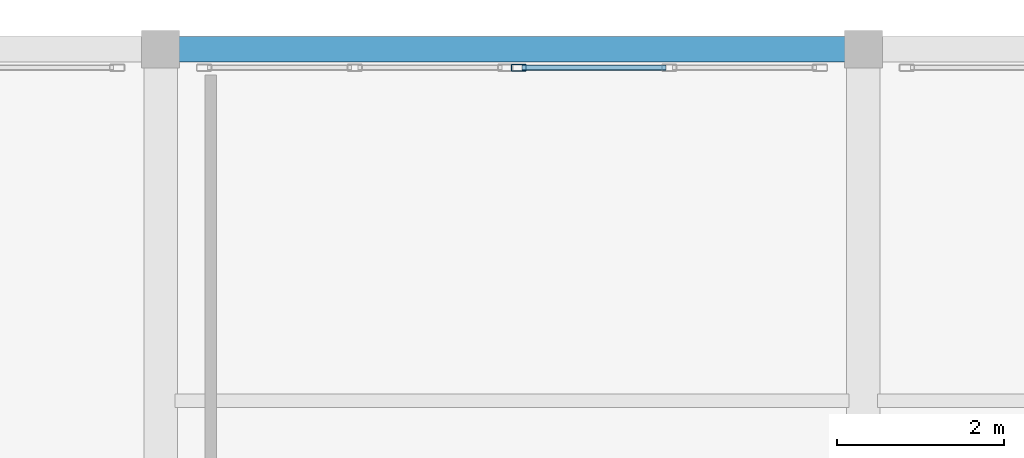
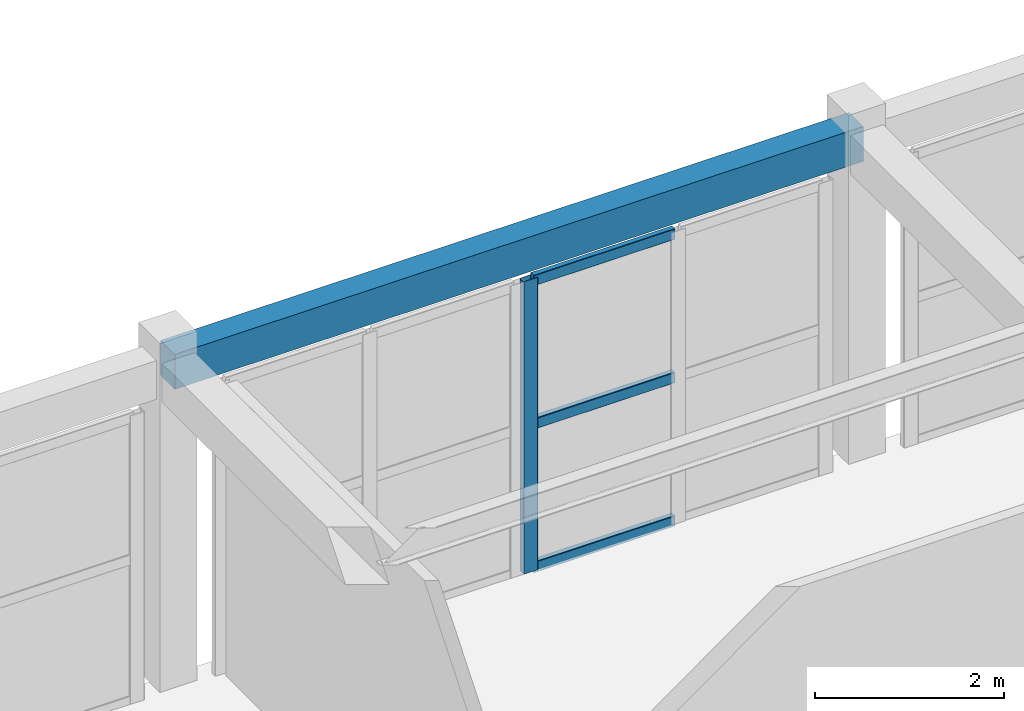
# One storey, part 33 of 92: 4 members, 1 beam, 1 element without a shape of its own.
"""IFC4 building model written with IfcOpenShell, lengths in metres."""

from ifc_helpers import new_model, si_unit, direction, frame, origin, origin_2d, place, context, subcontext, project, spatial, rectangle, hollow_rectangle, extrude, material, layer, layer_set, material_profile, profile_set, type_object, element, aggregate, save


model = new_model("IFC4")

# Units and contexts
model_context = context("Model", 3, precision=1e-05, world=origin(), true_north=direction((0.0, 1.0)))
body_context = subcontext(model_context, "Body", "Model", "MODEL_VIEW")
ifc_project = project(units=[si_unit("LENGTHUNIT", "METRE"), si_unit("AREAUNIT", "SQUARE_METRE"), si_unit("VOLUMEUNIT", "CUBIC_METRE"), si_unit("PLANEANGLEUNIT", "RADIAN"), si_unit("MASSUNIT", "GRAM", prefix="KILO")], contexts=[model_context])

# Site, building, storey
site_placement = place(None, origin())
site = spatial("IfcSite", under=ifc_project, at=site_placement, CompositionType="ELEMENT")
building_placement = place(site_placement, origin())
building = spatial("IfcBuilding", under=site, at=building_placement, Name="Tarnavel Promenade Courthouse", CompositionType="ELEMENT")
storey_placement = place(building_placement, frame((0.0, 0.0, 5.39990234375)))
storey = spatial("IfcBuildingStorey", under=building, at=storey_placement, Name="L02", CompositionType="ELEMENT", Elevation=5.39990234375)

# Beam
ifc_material_1 = material(Name="Concrete C40/50", Category="concrete")
ifc_material_profile_1 = material_profile(ifc_material_1, rectangle(XDim=0.300048828125, YDim=0.449951171875, at=origin_2d()), Name="RC 300x450")
ifc_profile_set_1 = profile_set([ifc_material_profile_1], Name="Concrete C40/50")
beam_type = type_object("IfcBeamType", Name="Concrete C40/50 BM-SP-300x450 (RC 300x450)", PredefinedType="SPANDREL", material=ifc_profile_set_1)
beam_placement = place(storey_placement, frame((58.800048828125, 112.800048828125, 4.010009765625), z_axis=(1.0, 0.0, 0.0), x_axis=(0.0, 1.0, 0.0)))
element("IfcBeam", 1, at=beam_placement, inside=storey, type_object=beam_type, Name="L02 Primary Longitudinal Beam 1216", PredefinedType="SPANDREL", context=body_context, shape_type="SweptSolid", body=[
    extrude(rectangle(XDim=0.300048828125, YDim=0.449951171875, at=origin_2d()), origin(), (0.0, 0.0, 1.0), 8.39990234375),
])

# Curtain wall, members
ifc_material_2 = material(Name="Thermally Broken Anodised Aluminium Curtain Wall System", Category="aluminium")
ifc_layer = layer(ifc_material_2, 0.199951171875)
ifc_layer_set = layer_set([ifc_layer], Name="Thermally Broken Anodised Aluminium Curtain Wall System")
curtain_wall_type = type_object("IfcCurtainWallType", Name="Thermally Broken Aluminium Triple-Glazed Curtain Wall CW-FOYER", PredefinedType="NOTDEFINED", material=ifc_layer_set)
curtain_wall_placement = place(storey_placement, origin())
curtain_wall = element("IfcCurtainWall", 2, at=curtain_wall_placement, inside=storey, type_object=curtain_wall_type, Name="L02 North Foyer Curtain Wall B 129", PredefinedType="NOTDEFINED")
ifc_material_3 = material(Name="Thermally Broken Anodised Aluminium Frame", Category="aluminium")
ifc_material_profile_2 = material_profile(ifc_material_3, hollow_rectangle(XDim=0.080078125, YDim=0.179931640625, WallThickness=0.0048828125, InnerFilletRadius=0.0048828125, OuterFilletRadius=0.010009765625, at=origin_2d()), Name="CWM 180x80x5")
ifc_profile_set_2 = profile_set([ifc_material_profile_2], Name="Thermally Broken Anodised Aluminium Frame")
member_type_1 = type_object("IfcMemberType", Name="Thermally Broken Anodised Aluminium CWM-155 (CWM 180x80x5)", PredefinedType="MULLION", material=ifc_profile_set_2)
member_1_placement = place(storey_placement, frame((63.080078125, 112.580078125, 0.0), z_axis=(0.0, 0.0, 1.0), x_axis=(0.0, 1.0, 0.0)))
member_1 = element("IfcMember", 3, at=member_1_placement, type_object=member_type_1, Name="CW-04 mullion 1", PredefinedType="MULLION", context=body_context, shape_type="SweptSolid", body=[
    extrude(hollow_rectangle(XDim=0.080078125, YDim=0.179931640625, WallThickness=0.0048828125, InnerFilletRadius=0.0048828125, OuterFilletRadius=0.010009765625, at=origin_2d()), origin(), (0.0, 0.0, 1.0), 3.77001953125),
])
ifc_material_profile_3 = material_profile(ifc_material_3, hollow_rectangle(XDim=0.070068359375, YDim=0.139892578125, WallThickness=0.0048828125, InnerFilletRadius=0.0048828125, OuterFilletRadius=0.010009765625, at=origin_2d()), Name="CWT 140x70x5")
ifc_profile_set_3 = profile_set([ifc_material_profile_3], Name="Thermally Broken Anodised Aluminium Frame")
member_type_2 = type_object("IfcMemberType", Name="Thermally Broken Anodised Aluminium CWT-125 (CWT 140x70x5)", PredefinedType="USERDEFINED", material=ifc_profile_set_3)
member_2_placement = place(storey_placement, frame((63.1201171875, 112.580078125, 0.03515625), z_axis=(1.0, 0.0, 0.0), x_axis=(0.0, 1.0, 0.0)))
member_2 = element("IfcMember", 4, at=member_2_placement, type_object=member_type_2, Name="CW-04 transom 1.1", ObjectType="TRANSOM", PredefinedType="USERDEFINED", context=body_context, shape_type="SweptSolid", body=[
    extrude(hollow_rectangle(XDim=0.070068359375, YDim=0.139892578125, WallThickness=0.0048828125, InnerFilletRadius=0.0048828125, OuterFilletRadius=0.010009765625, at=origin_2d()), origin(), (0.0, 0.0, 1.0), 1.719970703125),
])
member_3_placement = place(storey_placement, frame((63.1201171875, 112.580078125, 1.885009765625), z_axis=(1.0, 0.0, 0.0), x_axis=(0.0, 1.0, 0.0)))
member_3 = element("IfcMember", 5, at=member_3_placement, type_object=member_type_2, Name="CW-04 transom 1.2", ObjectType="TRANSOM", PredefinedType="USERDEFINED", context=body_context, shape_type="SweptSolid", body=[
    extrude(hollow_rectangle(XDim=0.070068359375, YDim=0.139892578125, WallThickness=0.0048828125, InnerFilletRadius=0.0048828125, OuterFilletRadius=0.010009765625, at=origin_2d()), origin(), (0.0, 0.0, 1.0), 1.719970703125),
])
member_4_placement = place(storey_placement, frame((63.1201171875, 112.580078125, 3.735107421875), z_axis=(1.0, 0.0, 0.0), x_axis=(0.0, 1.0, 0.0)))
member_4 = element("IfcMember", 6, at=member_4_placement, type_object=member_type_2, Name="CW-04 transom 1.3", ObjectType="TRANSOM", PredefinedType="USERDEFINED", context=body_context, shape_type="SweptSolid", body=[
    extrude(hollow_rectangle(XDim=0.070068359375, YDim=0.139892578125, WallThickness=0.0048828125, InnerFilletRadius=0.0048828125, OuterFilletRadius=0.010009765625, at=origin_2d()), origin(), (0.0, 0.0, 1.0), 1.719970703125),
])
aggregate(curtain_wall, [member_1, member_2, member_3, member_4])

save(model, "model.ifc")
